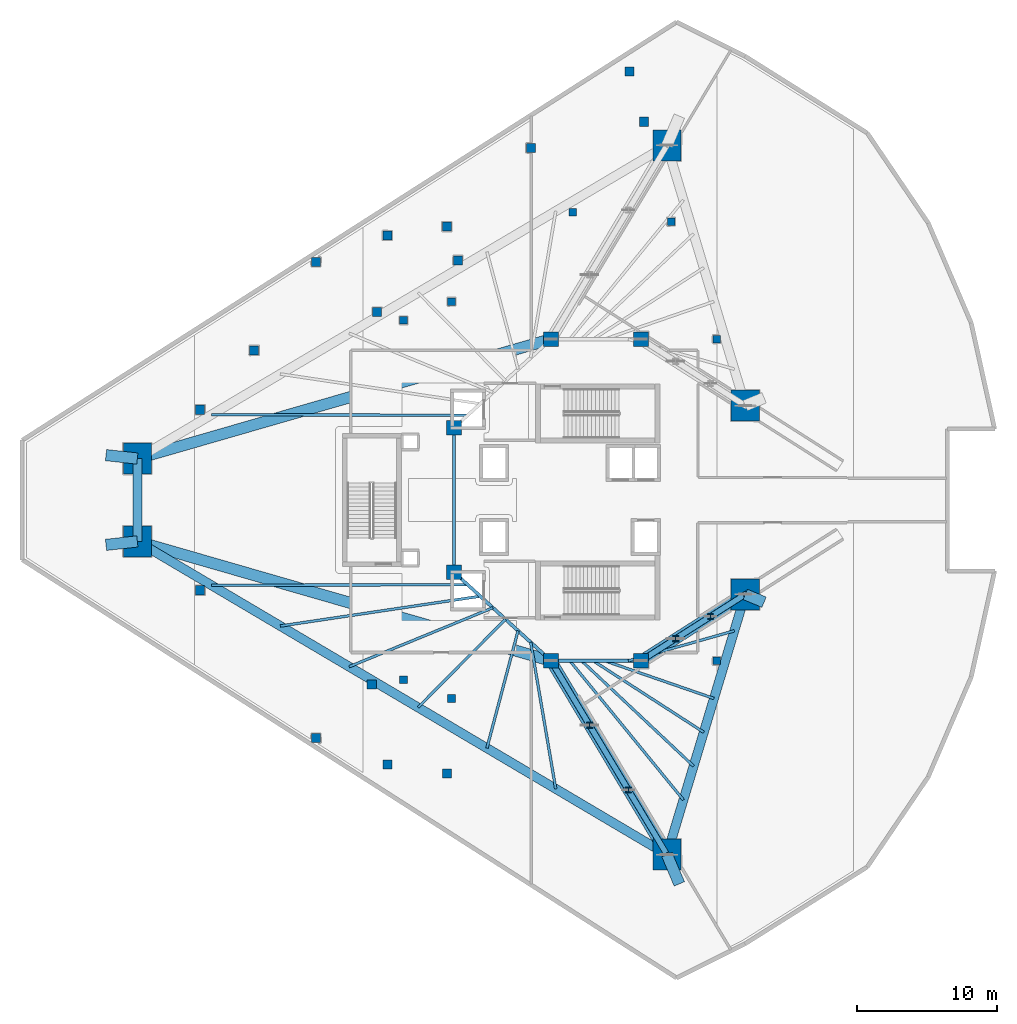
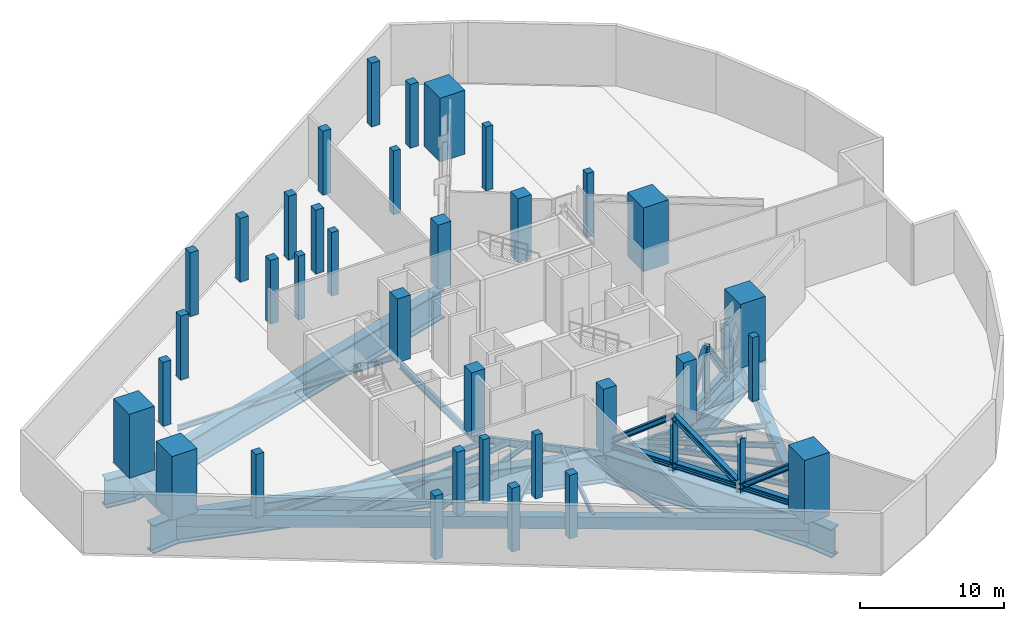
# One storey, part 1 of 12: 35 columns, 26 beams, 16 members.
"""IFC4 building model written with IfcOpenShell, lengths in metres."""

import ifcopenshell
import ifcopenshell.guid

model = None  # the IFC model being written
_history = None  # IfcOwnerHistory: only IFC2X3 demands one
_inside = {}  # id of a spatial element -> (the spatial element, [elements in it])
_under = {}  # id of a project, library or spatial element -> (it, [spatial elements below it])
_declared = {}  # id of a project -> (the project, [libraries it declares])
_typed = {}  # id of a type object -> (the type object, [elements of that type])
_made_of = {}  # id of a material, layer set ... -> (it, [elements and type objects made of it])


def new_model(schema):
    """Start an empty IFC model of exactly this schema.

    Asked for "IFC4X3", IfcOpenShell would pick the latest addendum, in which some entities
    have other attributes; the version numbers below select the first issue.
    IFC2X3 requires an IfcOwnerHistory on every rooted entity: one is made here for all.
    """
    global model, _history
    if schema == "IFC4X3":
        model = ifcopenshell.file(schema_version=(4, 3, 0, 0))
    else:
        model = ifcopenshell.file(schema=schema)
    _inside.clear()
    _under.clear()
    _declared.clear()
    _typed.clear()
    _made_of.clear()
    _history = None
    if model.schema == "IFC2X3":
        org = make("IfcOrganization", Name="unknown")
        user = make(
            "IfcPersonAndOrganization",
            ThePerson=make("IfcPerson", FamilyName="unknown"),
            TheOrganization=org,
        )
        app = make(
            "IfcApplication",
            ApplicationDeveloper=org,
            Version="unknown",
            ApplicationFullName="unknown",
            ApplicationIdentifier="unknown",
        )
        _history = make(
            "IfcOwnerHistory",
            OwningUser=user,
            OwningApplication=app,
            ChangeAction="ADDED",
            CreationDate=0,
        )
    return model


def make(cls, **values):
    """One entity of the class cls with the attributes given. An attribute that is None is left unset."""
    return model.create_entity(
        cls, **{name: value for name, value in values.items() if value is not None}
    )


def rooted(cls, **values):
    """An entity with a GlobalId (a new one), such as an element, a storey or a relation."""
    return make(cls, GlobalId=ifcopenshell.guid.new(), OwnerHistory=_history, **values)


def si_unit(unit_type, name, prefix=None):
    """IfcSIUnit, for example si_unit("LENGTHUNIT", "METRE", prefix="MILLI")."""
    return make("IfcSIUnit", UnitType=unit_type, Prefix=prefix, Name=name)


def assignment(units):
    """IfcUnitAssignment: the units of a project."""
    return None if units is None else make("IfcUnitAssignment", Units=units)


def point(xyz):
    """IfcCartesianPoint."""
    return None if xyz is None else make("IfcCartesianPoint", Coordinates=xyz)


def direction(xyz):
    """IfcDirection."""
    return None if xyz is None else make("IfcDirection", DirectionRatios=xyz)


def frame(location, z_axis=None, x_axis=None):
    """IfcAxis2Placement3D, a coordinate frame: its origin and axes. An axis left out is left unset."""
    return make(
        "IfcAxis2Placement3D",
        Location=point(location),
        Axis=direction(z_axis),
        RefDirection=direction(x_axis),
    )


def frame_2d(location, x_axis=None):
    """IfcAxis2Placement2D, a coordinate frame in the plane: its origin and x axis."""
    return make(
        "IfcAxis2Placement2D", Location=point(location), RefDirection=direction(x_axis)
    )


def origin():
    """The frame at (0, 0, 0) with its axes left unset."""
    return frame((0.0, 0.0, 0.0))


def origin_2d():
    """The frame at (0, 0) in the plane with its x axis left unset."""
    return frame_2d((0.0, 0.0))


def place(relative_to, where):
    """IfcLocalPlacement: puts the frame where relative to a parent placement (None: the world)."""
    return make(
        "IfcLocalPlacement", PlacementRelTo=relative_to, RelativePlacement=where
    )


def context(
    kind, dimensions, precision=None, world=None, true_north=None, identifier=None
):
    """IfcGeometricRepresentationContext, for example the 3D "Model" context."""
    return make(
        "IfcGeometricRepresentationContext",
        ContextIdentifier=identifier,
        ContextType=kind,
        CoordinateSpaceDimension=dimensions,
        Precision=precision,
        WorldCoordinateSystem=world,
        TrueNorth=true_north,
    )


def subcontext(parent, identifier, kind, view, scale=None):
    """IfcGeometricRepresentationSubContext, for example "Body" below "Model"."""
    return make(
        "IfcGeometricRepresentationSubContext",
        ContextIdentifier=identifier,
        ContextType=kind,
        ParentContext=parent,
        TargetScale=scale,
        TargetView=view,
    )


def project(units=None, contexts=None):
    """IfcProject with its units and contexts."""
    return rooted(
        "IfcProject",
        Name="project",
        RepresentationContexts=contexts,
        UnitsInContext=assignment(units),
    )


def spatial(cls, under=None, at=None, **own):
    """A site, building, storey or space (cls), placed at a placement, below another one or the project."""
    s = rooted(cls, ObjectPlacement=at, **own)
    if under is not None:
        _under.setdefault(under.id(), (under, []))[1].append(s)
    return s


def profile(cls, at=None, kind="AREA", **sizes):
    """A parametric profile (cls). Its sizes go by their IFC names, for example OverallWidth=200.0."""
    return make(cls, ProfileType=kind, Position=at, **sizes)


def rectangle(**sizes):
    """IfcRectangleProfileDef."""
    return profile("IfcRectangleProfileDef", **sizes)


def i_section(**sizes):
    """IfcIShapeProfileDef."""
    return profile("IfcIShapeProfileDef", **sizes)


def extrude(swept, where, along, depth):
    """IfcExtrudedAreaSolid: the profile swept, set in the frame where, extruded along a direction by depth."""
    return make(
        "IfcExtrudedAreaSolid",
        SweptArea=swept,
        Position=where,
        ExtrudedDirection=direction(along),
        Depth=depth,
    )


def shape(context_of_items, identifier, shape_type, items):
    """IfcShapeRepresentation: the items that make up one representation, for example the "Body"."""
    return make(
        "IfcShapeRepresentation",
        ContextOfItems=context_of_items,
        RepresentationIdentifier=identifier,
        RepresentationType=shape_type,
        Items=items,
    )


def material(Name=None, Category=None):
    """IfcMaterial."""
    return make("IfcMaterial", Name=Name, Category=Category)


def material_profile(
    of_material, cross_section, Name=None, Category=None, Priority=None
):
    """IfcMaterialProfile: a cross section and its material."""
    return make(
        "IfcMaterialProfile",
        Name=Name,
        Material=of_material,
        Profile=cross_section,
        Priority=Priority,
        Category=Category,
    )


def profile_set(profiles, Name=None, composite=None):
    """IfcMaterialProfileSet."""
    return make(
        "IfcMaterialProfileSet",
        Name=Name,
        MaterialProfiles=profiles,
        CompositeProfile=composite,
    )


def made_of(thing, what):
    """Note that an element or type object is made of a material, layer set ...; save() writes the relation."""
    if what is not None:
        _made_of.setdefault(what.id(), (what, []))[1].append(thing)
    return thing


def type_object(cls, material=None, **own):
    """A type object (cls), such as IfcWallType, which elements share."""
    return made_of(rooted(cls, **own), material)


def element(
    cls,
    number,
    at=None,
    inside=None,
    cuts=None,
    type_object=None,
    material=None,
    context=None,
    identifier="Body",
    shape_type=None,
    held_by="IfcProductDefinitionShape",
    body=None,
    shapes=None,
    **own,
):
    """One element of the class cls, such as IfcWall. Its Tag is "e" and its number.

    at: its placement. inside: the storey or other place that contains it. cuts: it is an
    opening in that element (IfcRelVoidsElement). A single representation is given by context,
    identifier, shape_type and body (its items); several are given by shapes. held_by: the class
    of the entity that holds the representations. save() writes the other relations.
    """
    e = rooted(cls, Tag="e%d" % number, ObjectPlacement=at, **own)
    if body is not None:
        shapes = [shape(context, identifier, shape_type, body)]
    if shapes is not None:
        e.Representation = make(held_by, Representations=shapes)
    if inside is not None:
        _inside.setdefault(inside.id(), (inside, []))[1].append(e)
    if cuts is not None:
        rooted(
            "IfcRelVoidsElement", RelatingBuildingElement=cuts, RelatedOpeningElement=e
        )
    if type_object is not None:
        _typed.setdefault(type_object.id(), (type_object, []))[1].append(e)
    return made_of(e, material)


def aggregate(whole, parts):
    """IfcRelAggregates: a whole, such as a stair, and the parts it consists of."""
    return rooted("IfcRelAggregates", RelatingObject=whole, RelatedObjects=parts)


def save(model, path):
    """Write the relations noted so far, then the file.

    IfcRelAggregates (storeys below a building ...), IfcRelContainedInSpatialStructure (elements
    in a storey), IfcRelDefinesByType, IfcRelAssociatesMaterial and IfcRelDeclares: one each for
    every whole, place, type object, material and project.
    """
    for whole, parts in _under.values():
        aggregate(whole, parts)
    for where, things in _inside.values():
        rooted(
            "IfcRelContainedInSpatialStructure",
            RelatedElements=things,
            RelatingStructure=where,
        )
    for kind, things in _typed.values():
        rooted("IfcRelDefinesByType", RelatedObjects=things, RelatingType=kind)
    for what, things in _made_of.values():
        rooted("IfcRelAssociatesMaterial", RelatedObjects=things, RelatingMaterial=what)
    for by, libraries in _declared.values():
        rooted("IfcRelDeclares", RelatingContext=by, RelatedDefinitions=libraries)
    model.write(path)


model = new_model("IFC4")

# Units and contexts
model_context = context("Model", 3, precision=1e-05, world=origin(), true_north=direction((0.0, 1.0)))
body_context = subcontext(model_context, "Body", "Model", "MODEL_VIEW")
ifc_project = project(units=[si_unit("LENGTHUNIT", "METRE"), si_unit("AREAUNIT", "SQUARE_METRE"), si_unit("VOLUMEUNIT", "CUBIC_METRE"), si_unit("PLANEANGLEUNIT", "RADIAN"), si_unit("MASSUNIT", "GRAM", prefix="KILO")], contexts=[model_context])

# Site, building, storey
site_placement = place(None, origin())
site = spatial("IfcSite", under=ifc_project, at=site_placement, CompositionType="ELEMENT")
building_placement = place(site_placement, origin())
building = spatial("IfcBuilding", under=site, at=building_placement, Name="Qorvath Tower", CompositionType="ELEMENT")
storey_placement = place(building_placement, frame((0.0, 0.0, 99.60009765625)))
storey = spatial("IfcBuildingStorey", under=building, at=storey_placement, Name="L22", CompositionType="ELEMENT", Elevation=99.60009765625)

# Columns
ifc_material_1 = material(Name="Concrete C70/85", Category="concrete")
ifc_material_profile_1 = material_profile(ifc_material_1, rectangle(XDim=2.0, YDim=2.199951171875, at=origin_2d()), Name="MC 2200x2000")
ifc_profile_set_1 = profile_set([ifc_material_profile_1], Name="Concrete C70/85")
column_type_1 = type_object("IfcColumnType", Name="COL-MC2", PredefinedType="COLUMN", material=ifc_profile_set_1)
for number, where, z_axis, x_axis, name in (
    (1, (-53.04931640625, 2.95068359375, 0.0), (0.0, 0.0, 1.0), (1.0, 0.0, 0.0), "Composite Mega-Column MC1 L22"),
    (2, (-53.04931640625, -2.95068359375, 0.0), (0.0, 0.0, 1.0), (1.0, 0.0, 0.0), "Composite Mega-Column MC2 L22"),
    (3, (-15.34423828125, -25.24609375, 0.0), (0.0, 0.0, 1.0), (1.0, 0.0, 0.0), "Composite Mega-Column MC3 L22"),
    (4, (-9.770263671875, -6.721435546875, 0.0), (0.0, 0.0, 1.0), (1.0, 0.0, 0.0), "Composite Mega-Column MC4 L22"),
    (5, (-9.770263671875, 6.721435546875, 0.0), (0.0, 0.0, 1.0), (1.0, 0.0, 0.0), "Composite Mega-Column MC5 L22"),
    (6, (-15.34423828125, 25.24609375, 0.0), (0.0, 0.0, 1.0), (1.0, 0.0, 0.0), "Composite Mega-Column MC6 L22"),
):
    element("IfcColumn", number, at=place(storey_placement, frame(where, z_axis=z_axis, x_axis=x_axis)), inside=storey, type_object=column_type_1, Name=name, PredefinedType="COLUMN", context=body_context, shape_type="SweptSolid", body=[
        extrude(rectangle(XDim=2.0, YDim=2.199951171875, at=origin_2d()), origin(), (0.0, 0.0, 1.0), 5.39990234375),
    ])
ifc_material_2 = material(Name="Concrete C60/75", Category="concrete")
ifc_material_profile_2 = material_profile(ifc_material_2, rectangle(XDim=1.050048828125, YDim=1.050048828125, at=origin_2d()), Name="RC 1050x1050")
ifc_profile_set_2 = profile_set([ifc_material_profile_2], Name="Concrete C60/75")
column_type_2 = type_object("IfcColumnType", Name="COL-RC2", PredefinedType="COLUMN", material=ifc_profile_set_2)
for number, where, z_axis, x_axis, name in (
    (7, (-23.60009765625, 11.449951171875, 0.0), (0.0, 0.0, 1.0), (1.0, 0.0, 0.0), "Core Spine Column CC1 L22"),
    (8, (-17.199951171875, 11.449951171875, 0.0), (0.0, 0.0, 1.0), (1.0, 0.0, 0.0), "Core Spine Column CC2 L22"),
    (9, (-17.199951171875, -11.449951171875, 0.0), (0.0, 0.0, 1.0), (1.0, 0.0, 0.0), "Core Spine Column CC3 L22"),
    (10, (-23.60009765625, -11.449951171875, 0.0), (0.0, 0.0, 1.0), (1.0, 0.0, 0.0), "Core Spine Column CC4 L22"),
    (11, (-30.5, 5.14990234375, 0.0), (0.0, 0.0, 1.0), (1.0, 0.0, 0.0), "Core Spine Column CC5 L22"),
    (12, (-30.5, -5.14990234375, 0.0), (0.0, 0.0, 1.0), (1.0, 0.0, 0.0), "Core Spine Column CC6 L22"),
):
    element("IfcColumn", number, at=place(storey_placement, frame(where, z_axis=z_axis, x_axis=x_axis)), inside=storey, type_object=column_type_2, Name=name, PredefinedType="COLUMN", context=body_context, shape_type="SweptSolid", body=[
        extrude(rectangle(XDim=1.050048828125, YDim=1.050048828125, at=origin_2d()), origin(), (0.0, 0.0, 1.0), 5.39990234375),
    ])
ifc_material_3 = material(Name="Concrete C45/55", Category="concrete")
ifc_material_profile_3 = material_profile(ifc_material_3, rectangle(XDim=0.64990234375, YDim=0.64990234375, at=origin_2d()), Name="RC 650x650")
ifc_profile_set_3 = profile_set([ifc_material_profile_3], Name="Concrete C45/55")
column_type_3 = type_object("IfcColumnType", Name="COL-RC6", PredefinedType="COLUMN", material=ifc_profile_set_3)
for number, where, z_axis, x_axis, name in (
    (13, (-40.33251953125, 16.955810546875, 0.0), (0.0, 0.0, 1.0), (1.0, 0.0, 0.0), "Loggia Frame Pier Column LGB1 L22"),
    (14, (-40.33251953125, -16.955810546875, 0.0), (0.0, 0.0, 1.0), (1.0, 0.0, 0.0), "Loggia Frame Pier Column LGB2 L22"),
    (15, (-18.0, 30.5, 0.0), (0.0, 0.0, 1.0), (1.0, 0.0, 0.0), "Loggia Frame Pier Column LGB3 L22"),
    (16, (-35.251708984375, 18.829345703125, 0.0), (0.0, 0.0, 1.0), (1.0, 0.0, 0.0), "Loggia Frame Pier Column LGC1 L22"),
    (17, (-35.251708984375, -18.829345703125, 0.0), (0.0, 0.0, 1.0), (1.0, 0.0, 0.0), "Loggia Frame Pier Column LGC2 L22"),
    (18, (-25.03759765625, 25.058837890625, 0.0), (0.0, 0.0, 1.0), (1.0, 0.0, 0.0), "Loggia Frame Pier Column LGC3 L22"),
    (19, (-31.01611328125, 19.46044921875, 0.0), (0.0, 0.0, 1.0), (1.0, 0.0, 0.0), "Loggia Frame Pier Column LGD1 L22"),
    (20, (-31.01611328125, -19.46044921875, 0.0), (0.0, 0.0, 1.0), (1.0, 0.0, 0.0), "Loggia Frame Pier Column LGD2 L22"),
    (21, (-44.736328125, 10.65234375, 0.0), (0.0, 0.0, 1.0), (1.0, 0.0, 0.0), "Loggia Frame Pier Column LGD3 L22"),
    (22, (-48.578369140625, 6.424560546875, 0.0), (0.0, 0.0, 1.0), (1.0, 0.0, 0.0), "Loggia Frame Pier Column LGE1 L22"),
    (23, (-48.578369140625, -6.424560546875, 0.0), (0.0, 0.0, 1.0), (1.0, 0.0, 0.0), "Loggia Frame Pier Column LGE2 L22"),
    (24, (-16.981201171875, 26.92919921875, 0.0), (0.0, 0.0, 1.0), (1.0, 0.0, 0.0), "Loggia Frame Pier Column LGE3 L22"),
    (25, (-35.980712890625, 13.380859375, 0.0), (0.0, 0.0, 1.0), (1.0, 0.0, 0.0), "Loggia Frame Pier Column LGF1 L22"),
    (26, (-36.36474609375, -13.135498046875, 0.0), (0.0, 0.0, 1.0), (1.0, 0.0, 0.0), "Loggia Frame Pier Column LGF2 L22"),
    (27, (-30.224853515625, 17.0595703125, 0.0), (0.0, 0.0, 1.0), (1.0, 0.0, 0.0), "Loggia Frame Pier Column LGF3 L22"),
):
    element("IfcColumn", number, at=place(storey_placement, frame(where, z_axis=z_axis, x_axis=x_axis)), inside=storey, type_object=column_type_3, Name=name, PredefinedType="COLUMN", context=body_context, shape_type="SweptSolid", body=[
        extrude(rectangle(XDim=0.64990234375, YDim=0.64990234375, at=origin_2d()), origin(), (0.0, 0.0, 1.0), 5.39990234375),
    ])
ifc_material_4 = material(Name="Concrete C45/55", Category="concrete")
ifc_material_profile_4 = material_profile(ifc_material_4, rectangle(XDim=0.550048828125, YDim=0.550048828125, at=origin_2d()), Name="RC 550x550")
ifc_profile_set_4 = profile_set([ifc_material_profile_4], Name="Concrete C45/55")
column_type_4 = type_object("IfcColumnType", Name="COL-RC7", PredefinedType="COLUMN", material=ifc_profile_set_4)
for number, where, z_axis, x_axis, name in (
    (28, (-34.104248046875, 12.79248046875, 0.0), (0.0, 0.0, 1.0), (1.0, 0.0, 0.0), "Loggia Frame Pier Column LGG1 L22"),
    (29, (-34.104248046875, -12.79248046875, 0.0), (0.0, 0.0, 1.0), (1.0, 0.0, 0.0), "Loggia Frame Pier Column LGG2 L22"),
    (30, (-22.05322265625, 20.494873046875, 0.0), (0.0, 0.0, 1.0), (1.0, 0.0, 0.0), "Loggia Frame Pier Column LGG3 L22"),
    (31, (-30.67724609375, 14.124267578125, 0.0), (0.0, 0.0, 1.0), (1.0, 0.0, 0.0), "Loggia Frame Pier Column LGH1 L22"),
    (32, (-30.67724609375, -14.124267578125, 0.0), (0.0, 0.0, 1.0), (1.0, 0.0, 0.0), "Loggia Frame Pier Column LGH2 L22"),
    (33, (-15.046142578125, 19.818115234375, 0.0), (0.0, 0.0, 1.0), (1.0, 0.0, 0.0), "Loggia Frame Pier Column LGH3 L22"),
    (34, (-11.800048828125, -11.449951171875, 0.0), (0.0, 0.0, 1.0), (1.0, 0.0, 0.0), "Central Slot Jamb Column SC1 L22"),
    (35, (-11.800048828125, 11.449951171875, 0.0), (0.0, 0.0, 1.0), (1.0, 0.0, 0.0), "Central Slot Jamb Column SC2 L22"),
):
    element("IfcColumn", number, at=place(storey_placement, frame(where, z_axis=z_axis, x_axis=x_axis)), inside=storey, type_object=column_type_4, Name=name, PredefinedType="COLUMN", context=body_context, shape_type="SweptSolid", body=[
        extrude(rectangle(XDim=0.550048828125, YDim=0.550048828125, at=origin_2d()), origin(), (0.0, 0.0, 1.0), 5.39990234375),
    ])

# Beams
ifc_material_5 = material(Name="Steel ASTM A992 Grade 50", Category="steel")
ifc_material_profile_5 = material_profile(ifc_material_5, i_section(OverallWidth=0.22998046875, OverallDepth=0.616943359375, WebThickness=0.01318359375, FlangeThickness=0.022216796875, FilletRadius=0.014892578125, at=origin_2d()), Name="W24x94")
ifc_profile_set_5 = profile_set([ifc_material_profile_5], Name="Steel ASTM A992 Grade 50")
beam_type_1 = type_object("IfcBeamType", Name="BM-FG6", PredefinedType="BEAM", material=ifc_profile_set_5)
beam_1_placement = place(storey_placement, frame((-17.199951171875, -11.449951171875, -0.608642578125), z_axis=(-1.0, 0.0, 0.0), x_axis=(0.0, -1.0, 0.0)))
element("IfcBeam", 36, at=beam_1_placement, inside=storey, type_object=beam_type_1, Name="Core Ring Girder CC3-CC4 L22", PredefinedType="BEAM", context=body_context, shape_type="SweptSolid", body=[
    extrude(i_section(OverallWidth=0.22998046875, OverallDepth=0.616943359375, WebThickness=0.01318359375, FlangeThickness=0.022216796875, FilletRadius=0.014892578125, at=origin_2d()), origin(), (0.0, 0.0, 1.0), 6.400146484375),
])
beam_2_placement = place(storey_placement, frame((-23.60009765625, -11.449951171875, -0.608642578125), z_axis=(-0.73847813985, 0.6742774184, 0.0), x_axis=(-0.6742774184, -0.73847813985, 0.0)))
element("IfcBeam", 37, at=beam_2_placement, inside=storey, type_object=beam_type_1, Name="Core Ring Girder CC4-CC6 L22", PredefinedType="BEAM", context=body_context, shape_type="SweptSolid", body=[
    extrude(i_section(OverallWidth=0.22998046875, OverallDepth=0.616943359375, WebThickness=0.01318359375, FlangeThickness=0.022216796875, FilletRadius=0.014892578125, at=origin_2d()), origin(), (0.0, 0.0, 1.0), 9.343505859375),
])
beam_3_placement = place(storey_placement, frame((-30.5, -5.14990234375, -0.608642578125), z_axis=(0.0, 1.0, 0.0), x_axis=(-1.0, 0.0, 0.0)))
element("IfcBeam", 38, at=beam_3_placement, inside=storey, type_object=beam_type_1, Name="Core Ring Girder CC6-CC5 L22", PredefinedType="BEAM", context=body_context, shape_type="SweptSolid", body=[
    extrude(i_section(OverallWidth=0.22998046875, OverallDepth=0.616943359375, WebThickness=0.01318359375, FlangeThickness=0.022216796875, FilletRadius=0.014892578125, at=origin_2d()), origin(), (0.0, 0.0, 1.0), 10.2998046875),
])
ifc_material_6 = material(Name="Steel ASTM A992 Grade 50", Category="steel")
ifc_material_profile_6 = material_profile(ifc_material_6, i_section(OverallWidth=0.18994140625, OverallDepth=0.45703125, WebThickness=0.009033203125, FlangeThickness=0.014404296875, FilletRadius=0.011962890625, at=origin_2d()), Name="W18x50")
ifc_profile_set_6 = profile_set([ifc_material_profile_6], Name="Steel ASTM A992 Grade 50")
beam_type_2 = type_object("IfcBeamType", Name="BM-FJ2", PredefinedType="JOIST", material=ifc_profile_set_6)
beam_4_placement = place(storey_placement, frame((-18.095947265625, -11.449951171875, -0.528564453125), z_axis=(0.962222206221, 0.272265359264, 0.0), x_axis=(-0.272265359264, 0.962222206221, 0.0)))
element("IfcBeam", 39, at=beam_4_placement, inside=storey, type_object=beam_type_2, Name="Composite Floor Joist SE1 L22", PredefinedType="JOIST", context=body_context, shape_type="SweptSolid", body=[
    extrude(i_section(OverallWidth=0.18994140625, OverallDepth=0.45703125, WebThickness=0.009033203125, FlangeThickness=0.014404296875, FilletRadius=0.011962890625, at=origin_2d()), origin(), (0.0, 0.0, 1.0), 7.841552734375),
])
beam_5_placement = place(storey_placement, frame((-19.760009765625, -11.449951171875, -0.528564453125), z_axis=(0.945168345309, -0.326583525342, 0.0), x_axis=(0.326583525342, 0.945168345309, 0.0)))
element("IfcBeam", 40, at=beam_5_placement, inside=storey, type_object=beam_type_2, Name="Composite Floor Joist SE3 L22", PredefinedType="JOIST", context=body_context, shape_type="SweptSolid", body=[
    extrude(i_section(OverallWidth=0.18994140625, OverallDepth=0.45703125, WebThickness=0.009033203125, FlangeThickness=0.014404296875, FilletRadius=0.011962890625, at=origin_2d()), origin(), (0.0, 0.0, 1.0), 8.21044921875),
])
beam_6_placement = place(storey_placement, frame((-20.592041015625, -11.449951171875, -0.528564453125), z_axis=(0.839630966809, -0.543157288062, 0.0), x_axis=(0.543157288062, 0.839630966809, 0.0)))
element("IfcBeam", 41, at=beam_6_placement, inside=storey, type_object=beam_type_2, Name="Composite Floor Joist SE4 L22", PredefinedType="JOIST", context=body_context, shape_type="SweptSolid", body=[
    extrude(i_section(OverallWidth=0.18994140625, OverallDepth=0.45703125, WebThickness=0.009033203125, FlangeThickness=0.014404296875, FilletRadius=0.011962890625, at=origin_2d()), origin(), (0.0, 0.0, 1.0), 9.370361328125),
])
beam_7_placement = place(storey_placement, frame((-21.424072265625, -11.449951171875, -0.528564453125), z_axis=(0.728572459091, -0.684968737866, 0.0), x_axis=(0.684968737866, 0.728572459091, 0.0)))
element("IfcBeam", 42, at=beam_7_placement, inside=storey, type_object=beam_type_2, Name="Composite Floor Joist SE5 L22", PredefinedType="JOIST", context=body_context, shape_type="SweptSolid", body=[
    extrude(i_section(OverallWidth=0.18994140625, OverallDepth=0.45703125, WebThickness=0.009033203125, FlangeThickness=0.014404296875, FilletRadius=0.011962890625, at=origin_2d()), origin(), (0.0, 0.0, 1.0), 10.9462890625),
])
beam_8_placement = place(storey_placement, frame((-22.256103515625, -11.449951171875, -0.528564453125), z_axis=(0.632187975212, -0.774815051478, 0.0), x_axis=(0.774815051478, 0.632187975212, 0.0)))
element("IfcBeam", 43, at=beam_8_placement, inside=storey, type_object=beam_type_2, Name="Composite Floor Joist SE6 L22", PredefinedType="JOIST", context=body_context, shape_type="SweptSolid", body=[
    extrude(i_section(OverallWidth=0.18994140625, OverallDepth=0.45703125, WebThickness=0.009033203125, FlangeThickness=0.014404296875, FilletRadius=0.011962890625, at=origin_2d()), origin(), (0.0, 0.0, 1.0), 12.784912109375),
])
for number, where, z_axis, x_axis, name in (
    (44, (-29.533935546875, 6.031982421875, -0.528564453125), (-0.999997589883, 0.002195501951, 0.0), (-0.002195501951, -0.999997589883, 0.0), "Composite Floor Joist NW1 L22"),
    (45, (-29.533935546875, -6.031982421875, -0.528564453125), (-0.999997589883, -0.002195501951, 0.0), (0.002195501951, -0.999997589883, 0.0), "Composite Floor Joist SW1 L22"),
):
    element("IfcBeam", number, at=place(storey_placement, frame(where, z_axis=z_axis, x_axis=x_axis)), inside=storey, type_object=beam_type_2, Name=name, PredefinedType="JOIST", context=body_context, shape_type="SweptSolid", body=[
        extrude(i_section(OverallWidth=0.18994140625, OverallDepth=0.45703125, WebThickness=0.009033203125, FlangeThickness=0.014404296875, FilletRadius=0.011962890625, at=origin_2d()), origin(), (0.0, 0.0, 1.0), 18.23681640625),
    ])
beam_9_placement = place(storey_placement, frame((-28.636962890625, -6.85107421875, -0.528564453125), z_axis=(-0.989092860328, -0.147293291256, 0.0), x_axis=(0.147293291256, -0.989092860328, 0.0)))
element("IfcBeam", 46, at=beam_9_placement, inside=storey, type_object=beam_type_2, Name="Composite Floor Joist SW2 L22", PredefinedType="JOIST", context=body_context, shape_type="SweptSolid", body=[
    extrude(i_section(OverallWidth=0.18994140625, OverallDepth=0.45703125, WebThickness=0.009033203125, FlangeThickness=0.014404296875, FilletRadius=0.011962890625, at=origin_2d()), origin(), (0.0, 0.0, 1.0), 14.388916015625),
])
beam_10_placement = place(storey_placement, frame((-27.739990234375, -7.669921875, -0.528564453125), z_axis=(-0.925068176006, -0.379801092338, 0.0), x_axis=(0.379801092338, -0.925068176006, 0.0)))
element("IfcBeam", 47, at=beam_10_placement, inside=storey, type_object=beam_type_2, Name="Composite Floor Joist SW3 L22", PredefinedType="JOIST", context=body_context, shape_type="SweptSolid", body=[
    extrude(i_section(OverallWidth=0.18994140625, OverallDepth=0.45703125, WebThickness=0.009033203125, FlangeThickness=0.014404296875, FilletRadius=0.011962890625, at=origin_2d()), origin(), (0.0, 0.0, 1.0), 11.0556640625),
])
beam_11_placement = place(storey_placement, frame((-26.843017578125, -8.489013671875, -0.528564453125), z_axis=(-0.70395121362, -0.710248328997, 0.0), x_axis=(0.710248328997, -0.70395121362, 0.0)))
element("IfcBeam", 48, at=beam_11_placement, inside=storey, type_object=beam_type_2, Name="Composite Floor Joist SW4 L22", PredefinedType="JOIST", context=body_context, shape_type="SweptSolid", body=[
    extrude(i_section(OverallWidth=0.18994140625, OverallDepth=0.45703125, WebThickness=0.009033203125, FlangeThickness=0.014404296875, FilletRadius=0.011962890625, at=origin_2d()), origin(), (0.0, 0.0, 1.0), 8.839599609375),
])
beam_12_placement = place(storey_placement, frame((-25.946044921875, -9.30810546875, -0.528564453125), z_axis=(-0.256507909517, -0.966542131702, 0.0), x_axis=(0.966542131702, -0.256507909517, 0.0)))
element("IfcBeam", 49, at=beam_12_placement, inside=storey, type_object=beam_type_2, Name="Composite Floor Joist SW5 L22", PredefinedType="JOIST", context=body_context, shape_type="SweptSolid", body=[
    extrude(i_section(OverallWidth=0.18994140625, OverallDepth=0.45703125, WebThickness=0.009033203125, FlangeThickness=0.014404296875, FilletRadius=0.011962890625, at=origin_2d()), origin(), (0.0, 0.0, 1.0), 8.64697265625),
])
beam_13_placement = place(storey_placement, frame((-25.049072265625, -10.126953125, -0.528564453125), z_axis=(0.168745594245, -0.985659639238, 0.0), x_axis=(0.985659639238, 0.168745594245, 0.0)))
element("IfcBeam", 50, at=beam_13_placement, inside=storey, type_object=beam_type_2, Name="Composite Floor Joist SW6 L22", PredefinedType="JOIST", context=body_context, shape_type="SweptSolid", body=[
    extrude(i_section(OverallWidth=0.18994140625, OverallDepth=0.45703125, WebThickness=0.009033203125, FlangeThickness=0.014404296875, FilletRadius=0.011962890625, at=origin_2d()), origin(), (0.0, 0.0, 1.0), 10.589111328125),
])
ifc_material_7 = material(Name="Concrete C50/60", Category="concrete")
ifc_material_profile_7 = material_profile(ifc_material_7, rectangle(XDim=0.64990234375, YDim=1.0, at=origin_2d()), Name="RCB 1000x650")
ifc_profile_set_7 = profile_set([ifc_material_profile_7], Name="Concrete C50/60")
beam_type_3 = type_object("IfcBeamType", Name="BM-RCB1", PredefinedType="SPANDREL", material=ifc_profile_set_7)
beam_14_placement = place(storey_placement, frame((-53.04931640625, 2.95068359375, -0.800048828125), z_axis=(0.0, -1.0, 0.0), x_axis=(1.0, 0.0, 0.0)))
element("IfcBeam", 51, at=beam_14_placement, inside=storey, type_object=beam_type_3, Name="Perimeter Loggia Frame Beam MC1-MC2 L22", PredefinedType="SPANDREL", context=body_context, shape_type="SweptSolid", body=[
    extrude(rectangle(XDim=0.64990234375, YDim=1.0, at=origin_2d()), origin(), (0.0, 0.0, 1.0), 5.9013671875),
])
beam_15_placement = place(storey_placement, frame((-53.04931640625, -2.95068359375, -0.800048828125), z_axis=(0.860775142889, -0.508985415689, 0.0), x_axis=(0.508985415689, 0.860775142889, 0.0)))
element("IfcBeam", 52, at=beam_15_placement, inside=storey, type_object=beam_type_3, Name="Perimeter Loggia Frame Beam MC2-MC3 L22", PredefinedType="SPANDREL", context=body_context, shape_type="SweptSolid", body=[
    extrude(rectangle(XDim=0.64990234375, YDim=1.0, at=origin_2d()), origin(), (0.0, 0.0, 1.0), 43.8037109375),
])
beam_16_placement = place(storey_placement, frame((-15.34423828125, -25.24609375, -0.800048828125), z_axis=(0.288133952099, 0.957590113591, 0.0), x_axis=(-0.957590113591, 0.288133952099, 0.0)))
element("IfcBeam", 53, at=beam_16_placement, inside=storey, type_object=beam_type_3, Name="Perimeter Loggia Frame Beam MC3-MC4 L22", PredefinedType="SPANDREL", context=body_context, shape_type="SweptSolid", body=[
    extrude(rectangle(XDim=0.64990234375, YDim=1.0, at=origin_2d()), origin(), (0.0, 0.0, 1.0), 19.344970703125),
])
ifc_material_8 = material(Name="Steel ASTM A572 Grade 50", Category="steel")
ifc_material_profile_8 = material_profile(ifc_material_8, i_section(OverallWidth=0.800048828125, OverallDepth=2.39990234375, WebThickness=0.044921875, FlangeThickness=0.090087890625, FilletRadius=0.02490234375, at=origin_2d()), Name="WTG 2400x800")
ifc_profile_set_8 = profile_set([ifc_material_profile_8], Name="Steel ASTM A572 Grade 50")
beam_type_4 = type_object("IfcBeamType", Name="BM-TG2", PredefinedType="BEAM", material=ifc_profile_set_8)
beam_17_placement = place(storey_placement, frame((-55.282958984375, 3.194580078125, -1.5), z_axis=(0.994091309598, -0.108547078182, 0.0), x_axis=(0.108547078182, 0.994091309598, 0.0)))
element("IfcBeam", 54, at=beam_17_placement, inside=storey, type_object=beam_type_4, Name="Zone Step Transfer Tie MC1 L22", PredefinedType="BEAM", context=body_context, shape_type="SweptSolid", body=[
    extrude(i_section(OverallWidth=0.800048828125, OverallDepth=2.39990234375, WebThickness=0.044921875, FlangeThickness=0.090087890625, FilletRadius=0.02490234375, at=origin_2d()), origin(), (0.0, 0.0, 1.0), 2.246826171875),
])
beam_18_placement = place(storey_placement, frame((-53.04931640625, 2.95068359375, -1.5), z_axis=(0.960786217844, 0.277290179416, 0.0), x_axis=(-0.277290179416, 0.960786217844, 0.0)))
element("IfcBeam", 55, at=beam_18_placement, inside=storey, type_object=beam_type_4, Name="Zone Step Transfer Girder CC5-MC1 L22", PredefinedType="BEAM", context=body_context, shape_type="SweptSolid", body=[
    extrude(i_section(OverallWidth=0.800048828125, OverallDepth=2.39990234375, WebThickness=0.044921875, FlangeThickness=0.090087890625, FilletRadius=0.02490234375, at=origin_2d()), origin(), (0.0, 0.0, 1.0), 30.651123046875),
])
beam_19_placement = place(storey_placement, frame((-55.282958984375, -3.194580078125, -1.5), z_axis=(0.994091309598, 0.108547078182, 0.0), x_axis=(-0.108547078182, 0.994091309598, 0.0)))
element("IfcBeam", 56, at=beam_19_placement, inside=storey, type_object=beam_type_4, Name="Zone Step Transfer Tie MC2 L22", PredefinedType="BEAM", context=body_context, shape_type="SweptSolid", body=[
    extrude(i_section(OverallWidth=0.800048828125, OverallDepth=2.39990234375, WebThickness=0.044921875, FlangeThickness=0.090087890625, FilletRadius=0.02490234375, at=origin_2d()), origin(), (0.0, 0.0, 1.0), 2.246826171875),
])
beam_20_placement = place(storey_placement, frame((-53.04931640625, -2.95068359375, -1.5), z_axis=(0.960786217844, -0.277290179416, 0.0), x_axis=(0.277290179416, 0.960786217844, 0.0)))
element("IfcBeam", 57, at=beam_20_placement, inside=storey, type_object=beam_type_4, Name="Zone Step Transfer Girder CC6-MC2 L22", PredefinedType="BEAM", context=body_context, shape_type="SweptSolid", body=[
    extrude(i_section(OverallWidth=0.800048828125, OverallDepth=2.39990234375, WebThickness=0.044921875, FlangeThickness=0.090087890625, FilletRadius=0.02490234375, at=origin_2d()), origin(), (0.0, 0.0, 1.0), 30.651123046875),
])
beam_21_placement = place(storey_placement, frame((-14.46435546875, -27.330810546875, -1.5), z_axis=(-0.388847906329, 0.921301962303, 0.0), x_axis=(-0.921301962303, -0.388847906329, 0.0)))
element("IfcBeam", 58, at=beam_21_placement, inside=storey, type_object=beam_type_4, Name="Zone Step Transfer Tie MC3 L22", PredefinedType="BEAM", context=body_context, shape_type="SweptSolid", body=[
    extrude(i_section(OverallWidth=0.800048828125, OverallDepth=2.39990234375, WebThickness=0.044921875, FlangeThickness=0.090087890625, FilletRadius=0.02490234375, at=origin_2d()), origin(), (0.0, 0.0, 1.0), 2.2626953125),
])
beam_22_placement = place(storey_placement, frame((-15.34423828125, -25.24609375, -1.5), z_axis=(-0.513497213955, 0.85809126045, 0.0), x_axis=(-0.85809126045, -0.513497213955, 0.0)))
element("IfcBeam", 59, at=beam_22_placement, inside=storey, type_object=beam_type_4, Name="Zone Step Transfer Girder CC4-MC3 L22", PredefinedType="BEAM", context=body_context, shape_type="SweptSolid", body=[
    extrude(i_section(OverallWidth=0.800048828125, OverallDepth=2.39990234375, WebThickness=0.044921875, FlangeThickness=0.090087890625, FilletRadius=0.02490234375, at=origin_2d()), origin(), (0.0, 0.0, 1.0), 16.07763671875),
])
beam_23_placement = place(storey_placement, frame((-8.430419921875, -7.2763671875, -1.5), z_axis=(-0.923891675903, 0.382654114309, 0.0), x_axis=(-0.382654114309, -0.923891675903, 0.0)))
element("IfcBeam", 60, at=beam_23_placement, inside=storey, type_object=beam_type_4, Name="Zone Step Transfer Tie MC4 L22", PredefinedType="BEAM", context=body_context, shape_type="SweptSolid", body=[
    extrude(i_section(OverallWidth=0.800048828125, OverallDepth=2.39990234375, WebThickness=0.044921875, FlangeThickness=0.090087890625, FilletRadius=0.02490234375, at=origin_2d()), origin(), (0.0, 0.0, 1.0), 1.4501953125),
])
beam_24_placement = place(storey_placement, frame((-9.770263671875, -6.721435546875, -1.5), z_axis=(-0.843634090834, -0.536918542037, 0.0), x_axis=(0.536918542037, -0.843634090834, 0.0)))
element("IfcBeam", 61, at=beam_24_placement, inside=storey, type_object=beam_type_4, Name="Zone Step Transfer Girder CC3-MC4 L22", PredefinedType="BEAM", context=body_context, shape_type="SweptSolid", body=[
    extrude(i_section(OverallWidth=0.800048828125, OverallDepth=2.39990234375, WebThickness=0.044921875, FlangeThickness=0.090087890625, FilletRadius=0.02490234375, at=origin_2d()), origin(), (0.0, 0.0, 1.0), 8.806884765625),
])

# Members
ifc_material_9 = material(Name="Steel ASTM A913 Grade 65", Category="steel")
ifc_material_profile_9 = material_profile(ifc_material_9, i_section(OverallWidth=0.431884765625, OverallDepth=0.498046875, WebThickness=0.0556640625, FlangeThickness=0.0888671875, FilletRadius=0.02490234375, at=origin_2d()), Name="W14x500")
ifc_profile_set_9 = profile_set([ifc_material_profile_9], Name="Steel ASTM A913 Grade 65")
member_type_1 = type_object("IfcMemberType", Name="MEM-OT1", PredefinedType="CHORD", material=ifc_profile_set_9)
for number, where, z_axis, x_axis, name in (
    (62, (-17.199951171875, -11.449951171875, 0.449951171875), (0.843634090834, 0.536918542037, 0.0), (-0.536918542037, 0.843634090834, 0.0), "Outrigger and Belt Truss Bottom Chord OB1-3.1"),
    (63, (-14.723388671875, -9.873779296875, 0.449951171875), (0.843634090834, 0.536918542037, 0.0), (-0.536918542037, 0.843634090834, 0.0), "Outrigger and Belt Truss Bottom Chord OB1-3.2"),
    (64, (-12.246826171875, -8.297607421875, 0.449951171875), (0.843634090834, 0.536918542037, 0.0), (-0.536918542037, 0.843634090834, 0.0), "Outrigger and Belt Truss Bottom Chord OB1-3.3"),
):
    element("IfcMember", number, at=place(storey_placement, frame(where, z_axis=z_axis, x_axis=x_axis)), inside=storey, type_object=member_type_1, Name=name, PredefinedType="CHORD", context=body_context, shape_type="SweptSolid", body=[
        extrude(i_section(OverallWidth=0.431884765625, OverallDepth=0.498046875, WebThickness=0.0556640625, FlangeThickness=0.0888671875, FilletRadius=0.02490234375, at=origin_2d()), origin(), (0.0, 0.0, 1.0), 2.935546875),
    ])
member_1_placement = place(storey_placement, frame((-23.60009765625, -11.449951171875, 0.449951171875), z_axis=(0.513503904971, -0.85808725639, 0.0), x_axis=(0.85808725639, 0.513503904971, 0.0)))
element("IfcMember", 65, at=member_1_placement, inside=storey, type_object=member_type_1, Name="Outrigger and Belt Truss Bottom Chord OB1-4.1", PredefinedType="CHORD", context=body_context, shape_type="SweptSolid", body=[
    extrude(i_section(OverallWidth=0.431884765625, OverallDepth=0.498046875, WebThickness=0.0556640625, FlangeThickness=0.0888671875, FilletRadius=0.02490234375, at=origin_2d()), origin(), (0.0, 0.0, 1.0), 5.359130859375),
])
member_2_placement = place(storey_placement, frame((-20.84814453125, -16.048583984375, 0.449951171875), z_axis=(0.513483832352, -0.8580992681, 0.0), x_axis=(0.8580992681, 0.513483832352, 0.0)))
element("IfcMember", 66, at=member_2_placement, inside=storey, type_object=member_type_1, Name="Outrigger and Belt Truss Bottom Chord OB1-4.2", PredefinedType="CHORD", context=body_context, shape_type="SweptSolid", body=[
    extrude(i_section(OverallWidth=0.431884765625, OverallDepth=0.498046875, WebThickness=0.0556640625, FlangeThickness=0.0888671875, FilletRadius=0.02490234375, at=origin_2d()), origin(), (0.0, 0.0, 1.0), 5.359375),
])
member_3_placement = place(storey_placement, frame((-18.09619140625, -20.6474609375, 0.449951171875), z_axis=(0.513503904971, -0.85808725639, 0.0), x_axis=(0.85808725639, 0.513503904971, 0.0)))
element("IfcMember", 67, at=member_3_placement, inside=storey, type_object=member_type_1, Name="Outrigger and Belt Truss Bottom Chord OB1-4.3", PredefinedType="CHORD", context=body_context, shape_type="SweptSolid", body=[
    extrude(i_section(OverallWidth=0.431884765625, OverallDepth=0.498046875, WebThickness=0.0556640625, FlangeThickness=0.0888671875, FilletRadius=0.02490234375, at=origin_2d()), origin(), (0.0, 0.0, 1.0), 5.359130859375),
])
ifc_material_10 = material(Name="Steel ASTM A913 Grade 65", Category="steel")
ifc_material_profile_10 = material_profile(ifc_material_10, i_section(OverallWidth=0.406005859375, OverallDepth=0.416015625, WebThickness=0.02978515625, FlangeThickness=0.048095703125, FilletRadius=0.02490234375, at=origin_2d()), Name="W14x257")
ifc_profile_set_10 = profile_set([ifc_material_profile_10], Name="Steel ASTM A913 Grade 65")
member_type_2 = type_object("IfcMemberType", Name="MEM-OT3", PredefinedType="BRACE", material=ifc_profile_set_10)
for number, where, z_axis, x_axis, name in (
    (68, (-14.723388671875, -9.873779296875, -0.150146484375), (0.0, 0.0, 1.0), (1.0, 0.0, 0.0), "Outrigger and Belt Truss Post OB1-3.1"),
    (69, (-12.246826171875, -8.297607421875, -0.150146484375), (0.0, 0.0, 1.0), (1.0, 0.0, 0.0), "Outrigger and Belt Truss Post OB1-3.2"),
):
    element("IfcMember", number, at=place(storey_placement, frame(where, z_axis=z_axis, x_axis=x_axis)), inside=storey, type_object=member_type_2, Name=name, PredefinedType="BRACE", context=body_context, shape_type="SweptSolid", body=[
        extrude(i_section(OverallWidth=0.406005859375, OverallDepth=0.416015625, WebThickness=0.02978515625, FlangeThickness=0.048095703125, FilletRadius=0.02490234375, at=origin_2d()), origin(), (0.0, 0.0, 1.0), 4.699951171875),
    ])
for number, where, z_axis, x_axis, name in (
    (70, (-17.199951171875, -11.449951171875, 0.449951171875), (0.491140994383, 0.312579481441, 0.813064936778), (-0.536918542037, 0.843634090834, 0.0), "Outrigger and Belt Truss Web Diagonal OB1-3.1"),
    (71, (-12.246826171875, -8.297607421875, 0.449951171875), (-0.491140994383, -0.312579481441, 0.813064936778), (0.536918542037, -0.843634090834, 0.0), "Outrigger and Belt Truss Web Diagonal OB1-3.2"),
    (72, (-12.246826171875, -8.297607421875, 0.449951171875), (0.491140994383, 0.312579481441, 0.813064936778), (-0.536918542037, 0.843634090834, 0.0), "Outrigger and Belt Truss Web Diagonal OB1-3.3"),
):
    element("IfcMember", number, at=place(storey_placement, frame(where, z_axis=z_axis, x_axis=x_axis)), inside=storey, type_object=member_type_2, Name=name, PredefinedType="BRACE", context=body_context, shape_type="SweptSolid", body=[
        extrude(i_section(OverallWidth=0.406005859375, OverallDepth=0.416015625, WebThickness=0.02978515625, FlangeThickness=0.048095703125, FilletRadius=0.02490234375, at=origin_2d()), origin(), (0.0, 0.0, 1.0), 5.04248046875),
    ])
for number, where, z_axis, x_axis, name in (
    (73, (-20.84814453125, -16.048583984375, -0.150146484375), (0.0, 0.0, 1.0), (1.0, 0.0, 0.0), "Outrigger and Belt Truss Post OB1-4.1"),
    (74, (-18.09619140625, -20.6474609375, -0.150146484375), (0.0, 0.0, 1.0), (1.0, 0.0, 0.0), "Outrigger and Belt Truss Post OB1-4.2"),
):
    element("IfcMember", number, at=place(storey_placement, frame(where, z_axis=z_axis, x_axis=x_axis)), inside=storey, type_object=member_type_2, Name=name, PredefinedType="BRACE", context=body_context, shape_type="SweptSolid", body=[
        extrude(i_section(OverallWidth=0.406005859375, OverallDepth=0.416015625, WebThickness=0.02978515625, FlangeThickness=0.048095703125, FilletRadius=0.02490234375, at=origin_2d()), origin(), (0.0, 0.0, 1.0), 4.699951171875),
    ])
member_4_placement = place(storey_placement, frame((-23.60009765625, -11.449951171875, 0.449951171875), z_axis=(0.407844623435, -0.681526022625, 0.607605993732), x_axis=(0.85808725639, 0.513503904971, 0.0)))
element("IfcMember", 75, at=member_4_placement, inside=storey, type_object=member_type_2, Name="Outrigger and Belt Truss Web Diagonal OB1-4.1", PredefinedType="BRACE", context=body_context, shape_type="SweptSolid", body=[
    extrude(i_section(OverallWidth=0.406005859375, OverallDepth=0.416015625, WebThickness=0.02978515625, FlangeThickness=0.048095703125, FilletRadius=0.02490234375, at=origin_2d()), origin(), (0.0, 0.0, 1.0), 6.74755859375),
])
member_5_placement = place(storey_placement, frame((-18.09619140625, -20.6474609375, 0.449951171875), z_axis=(-0.407834566483, 0.681545398229, 0.607591010907), x_axis=(-0.8580992681, -0.513483832352, 0.0)))
element("IfcMember", 76, at=member_5_placement, inside=storey, type_object=member_type_2, Name="Outrigger and Belt Truss Web Diagonal OB1-4.2", PredefinedType="BRACE", context=body_context, shape_type="SweptSolid", body=[
    extrude(i_section(OverallWidth=0.406005859375, OverallDepth=0.416015625, WebThickness=0.02978515625, FlangeThickness=0.048095703125, FilletRadius=0.02490234375, at=origin_2d()), origin(), (0.0, 0.0, 1.0), 6.747802734375),
])
member_6_placement = place(storey_placement, frame((-18.09619140625, -20.6474609375, 0.449951171875), z_axis=(0.407844623435, -0.681526022625, 0.607605993732), x_axis=(0.85808725639, 0.513503904971, 0.0)))
element("IfcMember", 77, at=member_6_placement, inside=storey, type_object=member_type_2, Name="Outrigger and Belt Truss Web Diagonal OB1-4.3", PredefinedType="BRACE", context=body_context, shape_type="SweptSolid", body=[
    extrude(i_section(OverallWidth=0.406005859375, OverallDepth=0.416015625, WebThickness=0.02978515625, FlangeThickness=0.048095703125, FilletRadius=0.02490234375, at=origin_2d()), origin(), (0.0, 0.0, 1.0), 6.74755859375),
])

save(model, "model.ifc")
